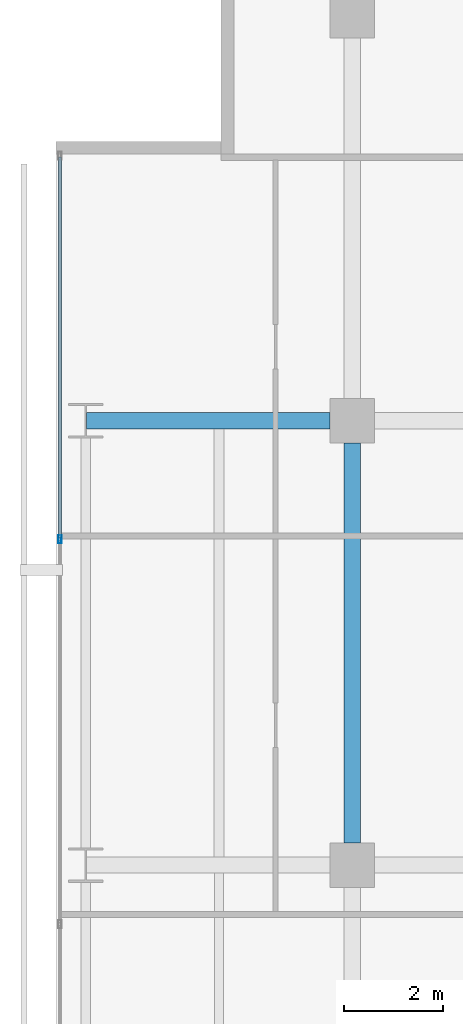
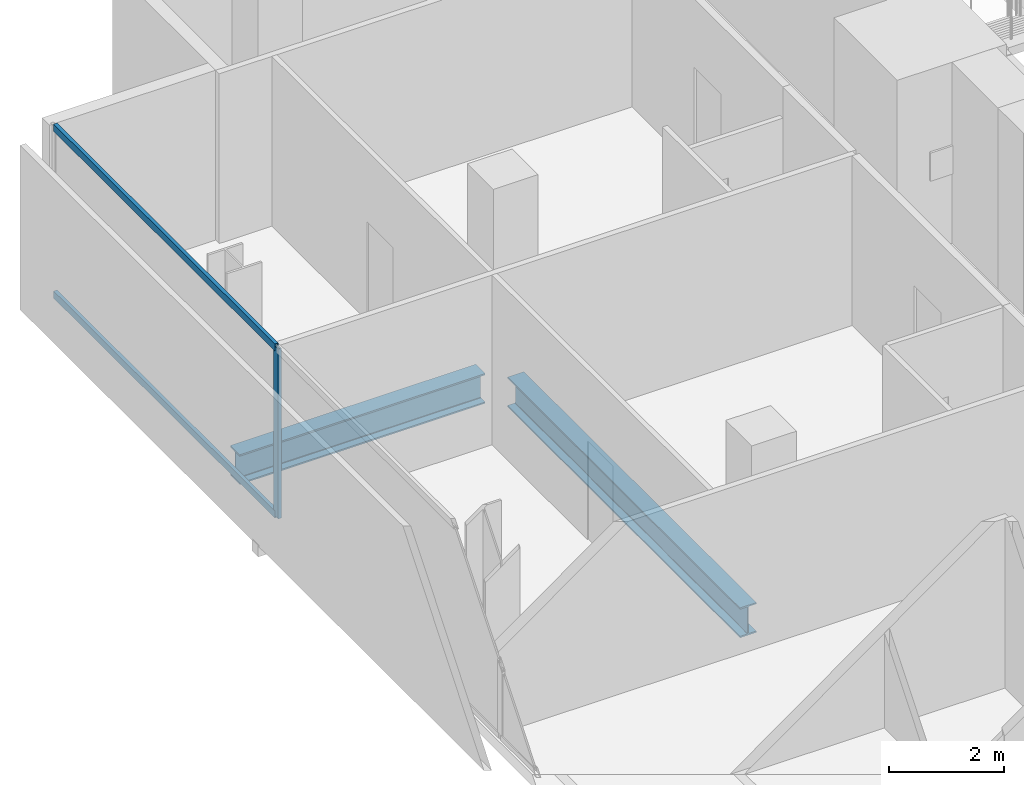
# One storey, part 23 of 40: 3 members, 2 beams, 1 element without a shape of its own.
"""IFC4 building model written with IfcOpenShell, lengths in metres."""

from ifc_helpers import new_model, si_unit, direction, frame, origin, origin_2d, place, context, subcontext, project, spatial, hollow_rectangle, i_section, extrude, material, layer, layer_set, material_profile, profile_set, type_object, element, aggregate, save


model = new_model("IFC4")

# Units and contexts
model_context = context("Model", 3, precision=1e-05, world=origin(), true_north=direction((0.0, 1.0)))
body_context = subcontext(model_context, "Body", "Model", "MODEL_VIEW")
ifc_project = project(units=[si_unit("LENGTHUNIT", "METRE"), si_unit("AREAUNIT", "SQUARE_METRE"), si_unit("VOLUMEUNIT", "CUBIC_METRE"), si_unit("PLANEANGLEUNIT", "RADIAN"), si_unit("MASSUNIT", "GRAM", prefix="KILO")], contexts=[model_context])

# Site, building, storey
site_placement = place(None, origin())
site = spatial("IfcSite", under=ifc_project, at=site_placement, CompositionType="ELEMENT")
building_placement = place(site_placement, origin())
building = spatial("IfcBuilding", under=site, at=building_placement, Name="Maruvema Waterfront Hotel and Observation Tower", CompositionType="ELEMENT")
storey_placement = place(building_placement, frame((0.0, 0.0, 34.64990234375)))
storey = spatial("IfcBuildingStorey", under=building, at=storey_placement, Name="L07", CompositionType="ELEMENT", Elevation=34.64990234375)

# Curtain wall, members
ifc_material_1 = material(Name="Anodised bronze aluminium and solar-control low-E IGU", Category="aluminium")
ifc_layer = layer(ifc_material_1, 0.159912109375, Name="Zone 1 Bronze Inner Thermal Curtain Wall System CW-02")
ifc_layer_set = layer_set([ifc_layer], Name="Anodised bronze aluminium and solar-control low-E IGU")
curtain_wall_type = type_object("IfcCurtainWallType", Name="Zone 1 Bronze Inner Thermal Curtain Wall System CW-02", PredefinedType="USERDEFINED", material=ifc_layer_set)
curtain_wall_placement = place(storey_placement, origin())
curtain_wall = element("IfcCurtainWall", 1, at=curtain_wall_placement, inside=storey, type_object=curtain_wall_type, Name="L07 Curtain Wall CW-L07-W", ObjectType="UNITISED CURTAIN WALL", PredefinedType="USERDEFINED")
ifc_material_2 = material(Name="Anodised architectural bronze aluminium", Category="aluminium")
ifc_material_profile_1 = material_profile(ifc_material_2, hollow_rectangle(XDim=0.070068359375, YDim=0.14990234375, WallThickness=0.00390625, at=origin_2d()), Name="ALU-T70x150")
ifc_profile_set_1 = profile_set([ifc_material_profile_1], Name="Anodised architectural bronze aluminium")
member_type_1 = type_object("IfcMemberType", Name="Curtain Wall Horizontal Transom ALU-T70x150", PredefinedType="USERDEFINED", material=ifc_profile_set_1)
member_1_placement = place(storey_placement, frame((10.8798828125, 50.340087890625, 0.030029296875), z_axis=(0.0, -1.0, 0.0), x_axis=(1.0, 0.0, 0.0)))
member_1 = element("IfcMember", 2, at=member_1_placement, type_object=member_type_1, Name="CW-02 transom 1.1", ObjectType="TRANSOM", PredefinedType="USERDEFINED", context=body_context, shape_type="SweptSolid", body=[
    extrude(hollow_rectangle(XDim=0.070068359375, YDim=0.14990234375, WallThickness=0.00390625, at=origin_2d()), origin(), (0.0, 0.0, 1.0), 7.710205078125),
])
member_2_placement = place(storey_placement, frame((10.8798828125, 50.340087890625, 3.580078125), z_axis=(0.0, -1.0, 0.0), x_axis=(1.0, 0.0, 0.0)))
member_2 = element("IfcMember", 3, at=member_2_placement, type_object=member_type_1, Name="CW-02 transom 1.2", ObjectType="TRANSOM", PredefinedType="USERDEFINED", context=body_context, shape_type="SweptSolid", body=[
    extrude(hollow_rectangle(XDim=0.070068359375, YDim=0.14990234375, WallThickness=0.00390625, at=origin_2d()), origin(), (0.0, 0.0, 1.0), 7.710205078125),
])
ifc_material_3 = material(Name="Anodised architectural bronze aluminium", Category="aluminium")
ifc_material_profile_2 = material_profile(ifc_material_3, hollow_rectangle(XDim=0.06494140625, YDim=0.1650390625, WallThickness=0.00390625, at=origin_2d()), Name="ALU-M65x165")
ifc_profile_set_2 = profile_set([ifc_material_profile_2], Name="Anodised architectural bronze aluminium")
member_type_2 = type_object("IfcMemberType", Name="Curtain Wall Primary Mullion ALU-M65x165", PredefinedType="MULLION", material=ifc_profile_set_2)
member_3_placement = place(storey_placement, frame((10.8798828125, 42.60009765625, 0.0), z_axis=(0.0, 0.0, 1.0), x_axis=(1.0, 0.0, 0.0)))
member_3 = element("IfcMember", 4, at=member_3_placement, type_object=member_type_2, Name="CW-02 mullion 2", PredefinedType="MULLION", context=body_context, shape_type="SweptSolid", body=[
    extrude(hollow_rectangle(XDim=0.06494140625, YDim=0.1650390625, WallThickness=0.00390625, at=origin_2d()), origin(), (0.0, 0.0, 1.0), 3.610107421875),
])
aggregate(curtain_wall, [member_3, member_1, member_2])

# Beams
ifc_material_4 = material(Name="Steel ASTM A572 Grade 50", Category="steel")
ifc_material_profile_3 = material_profile(ifc_material_4, i_section(OverallWidth=0.3291015625, OverallDepth=0.635009765625, WebThickness=0.017822265625, FlangeThickness=0.031005859375, FilletRadius=0.01806640625, at=origin_2d()), Name="W610x241.0")
ifc_profile_set_3 = profile_set([ifc_material_profile_3], Name="Steel ASTM A572 Grade 50")
beam_type = type_object("IfcBeamType", Name="Primary Floor Girder W610x241.0", PredefinedType="BEAM", material=ifc_profile_set_3)
beam_1_placement = place(storey_placement, frame((11.4140625, 45.0, -0.557373046875), z_axis=(1.0, 0.0, 0.0), x_axis=(0.0, 1.0, 0.0)))
element("IfcBeam", 5, at=beam_1_placement, inside=storey, type_object=beam_type, Name="L07 Floor Girder EW-32", PredefinedType="BEAM", context=body_context, shape_type="SweptSolid", body=[
    extrude(i_section(OverallWidth=0.3291015625, OverallDepth=0.635009765625, WebThickness=0.017822265625, FlangeThickness=0.031005859375, FilletRadius=0.01806640625, at=origin_2d()), origin(), (0.0, 0.0, 1.0), 4.93603515625),
])
beam_2_placement = place(storey_placement, frame((16.800048828125, 36.449951171875, -0.557373046875), z_axis=(0.0, 1.0, 0.0), x_axis=(-1.0, 0.0, 0.0)))
element("IfcBeam", 6, at=beam_2_placement, inside=storey, type_object=beam_type, Name="L07 Floor Girder NS-09", PredefinedType="BEAM", context=body_context, shape_type="SweptSolid", body=[
    extrude(i_section(OverallWidth=0.3291015625, OverallDepth=0.635009765625, WebThickness=0.017822265625, FlangeThickness=0.031005859375, FilletRadius=0.01806640625, at=origin_2d()), origin(), (0.0, 0.0, 1.0), 8.10009765625),
])

save(model, "model.ifc")
